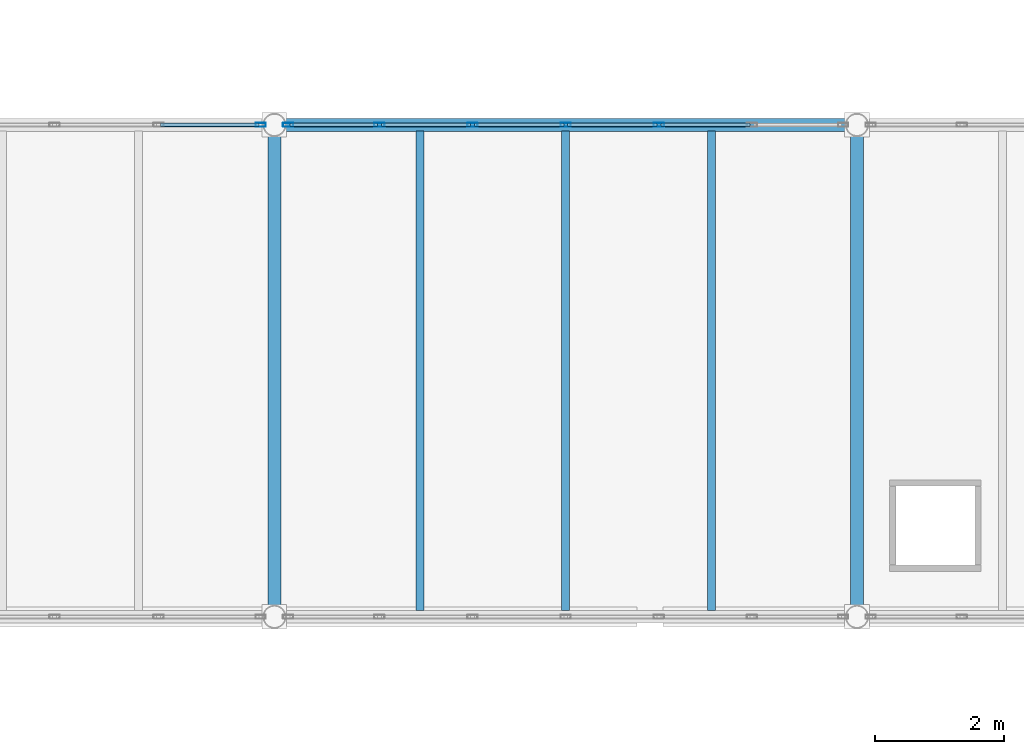
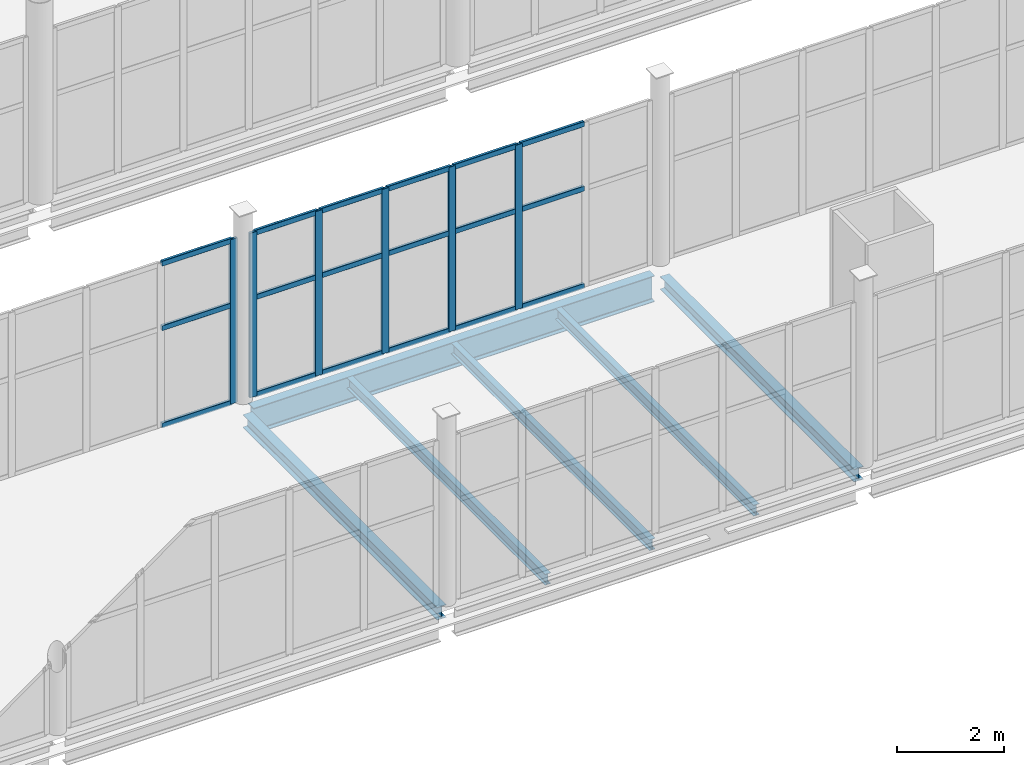
# One storey, part 60 of 172: 24 members, 6 beams, 2 elements without a shape of their own.
"""IFC4 building model written with IfcOpenShell, lengths in metres."""

from ifc_helpers import new_model, si_unit, direction, frame, origin, origin_2d, place, context, subcontext, project, spatial, hollow_rectangle, i_section, extrude, material, material_profile, profile_set, type_object, element, aggregate, save


model = new_model("IFC4")

# Units and contexts
model_context = context("Model", 3, precision=1e-05, world=origin(), true_north=direction((0.0, 1.0)))
body_context = subcontext(model_context, "Body", "Model", "MODEL_VIEW")
ifc_project = project(units=[si_unit("LENGTHUNIT", "METRE"), si_unit("AREAUNIT", "SQUARE_METRE"), si_unit("VOLUMEUNIT", "CUBIC_METRE"), si_unit("PLANEANGLEUNIT", "RADIAN"), si_unit("MASSUNIT", "GRAM", prefix="KILO")], contexts=[model_context])

# Site, building, storey
site_placement = place(None, origin())
site = spatial("IfcSite", under=ifc_project, at=site_placement, CompositionType="ELEMENT")
building_placement = place(site_placement, origin())
building = spatial("IfcBuilding", under=site, at=building_placement, Name="Shengluoqiao Park Theatre", CompositionType="ELEMENT")
storey_placement = place(building_placement, frame((0.0, 0.0, 5.39990234375)))
storey = spatial("IfcBuildingStorey", under=building, at=storey_placement, Name="L01", CompositionType="ELEMENT", Elevation=5.39990234375)

# Curtain wall, member
ifc_material_1 = material(Name="Aluminium 6063-T6", Category="aluminium")
curtain_wall_type = type_object("IfcCurtainWallType", Name="ENV-CW-BRIDGE", PredefinedType="NOTDEFINED", material=ifc_material_1)
curtain_wall_1_placement = place(storey_placement, origin())
curtain_wall_1 = element("IfcCurtainWall", 1, at=curtain_wall_1_placement, inside=storey, type_object=curtain_wall_type, Name="L01 Curtain Wall CWX-L01-0143", PredefinedType="NOTDEFINED")
ifc_material_profile_1 = material_profile(ifc_material_1, hollow_rectangle(XDim=0.06005859375, YDim=0.159912109375, WallThickness=0.00390625, InnerFilletRadius=0.00390625, OuterFilletRadius=0.008056640625, at=origin_2d()), Name="ALU MULLION 160x60x4")
ifc_profile_set_1 = profile_set([ifc_material_profile_1], Name="Aluminium 6063-T6")
member_type_1 = type_object("IfcMemberType", Name="ENV-MUL-160", PredefinedType="MULLION", material=ifc_profile_set_1)
member_1_placement = place(storey_placement, frame((112.18798828125, 60.800048828125, 0.0), z_axis=(0.0, 0.0, 1.0), x_axis=(0.0, 1.0, 0.0)))
member_1 = element("IfcMember", 2, at=member_1_placement, type_object=member_type_1, Name="CW-03 mullion 6", PredefinedType="MULLION", context=body_context, shape_type="SweptSolid", body=[
    extrude(hollow_rectangle(XDim=0.06005859375, YDim=0.159912109375, WallThickness=0.00390625, InnerFilletRadius=0.00390625, OuterFilletRadius=0.008056640625, at=origin_2d()), origin(), (0.0, 0.0, 1.0), 3.752197265625),
])

# Curtain wall, members
curtain_wall_2_placement = place(storey_placement, origin())
curtain_wall_2 = element("IfcCurtainWall", 3, at=curtain_wall_2_placement, inside=storey, type_object=curtain_wall_type, Name="L01 Curtain Wall CWX-L01-0144", PredefinedType="NOTDEFINED")
member_2_placement = place(storey_placement, frame((112.612060546875, 60.800048828125, 0.0), z_axis=(0.0, 0.0, 1.0), x_axis=(0.0, 1.0, 0.0)))
member_2 = element("IfcMember", 4, at=member_2_placement, type_object=member_type_1, Name="CW-03 mullion 1", PredefinedType="MULLION", context=body_context, shape_type="SweptSolid", body=[
    extrude(hollow_rectangle(XDim=0.06005859375, YDim=0.159912109375, WallThickness=0.00390625, InnerFilletRadius=0.00390625, OuterFilletRadius=0.008056640625, at=origin_2d()), origin(), (0.0, 0.0, 1.0), 3.752197265625),
])
member_3_placement = place(storey_placement, frame((114.021240234375, 60.800048828125, 0.0), z_axis=(0.0, 0.0, 1.0), x_axis=(0.0, 1.0, 0.0)))
member_3 = element("IfcMember", 5, at=member_3_placement, type_object=member_type_1, Name="CW-03 mullion 2", PredefinedType="MULLION", context=body_context, shape_type="SweptSolid", body=[
    extrude(hollow_rectangle(XDim=0.06005859375, YDim=0.159912109375, WallThickness=0.00390625, InnerFilletRadius=0.00390625, OuterFilletRadius=0.008056640625, at=origin_2d()), origin(), (0.0, 0.0, 1.0), 3.752197265625),
])
member_4_placement = place(storey_placement, frame((115.460693359375, 60.800048828125, 0.0), z_axis=(0.0, 0.0, 1.0), x_axis=(0.0, 1.0, 0.0)))
member_4 = element("IfcMember", 6, at=member_4_placement, type_object=member_type_1, Name="CW-03 mullion 3", PredefinedType="MULLION", context=body_context, shape_type="SweptSolid", body=[
    extrude(hollow_rectangle(XDim=0.06005859375, YDim=0.159912109375, WallThickness=0.00390625, InnerFilletRadius=0.00390625, OuterFilletRadius=0.008056640625, at=origin_2d()), origin(), (0.0, 0.0, 1.0), 3.752197265625),
])
member_5_placement = place(storey_placement, frame((116.89990234375, 60.800048828125, 0.0), z_axis=(0.0, 0.0, 1.0), x_axis=(0.0, 1.0, 0.0)))
member_5 = element("IfcMember", 7, at=member_5_placement, type_object=member_type_1, Name="CW-03 mullion 4", PredefinedType="MULLION", context=body_context, shape_type="SweptSolid", body=[
    extrude(hollow_rectangle(XDim=0.06005859375, YDim=0.159912109375, WallThickness=0.00390625, InnerFilletRadius=0.00390625, OuterFilletRadius=0.008056640625, at=origin_2d()), origin(), (0.0, 0.0, 1.0), 3.752197265625),
])
member_6_placement = place(storey_placement, frame((118.33935546875, 60.800048828125, 0.0), z_axis=(0.0, 0.0, 1.0), x_axis=(0.0, 1.0, 0.0)))
member_6 = element("IfcMember", 8, at=member_6_placement, type_object=member_type_1, Name="CW-03 mullion 5", PredefinedType="MULLION", context=body_context, shape_type="SweptSolid", body=[
    extrude(hollow_rectangle(XDim=0.06005859375, YDim=0.159912109375, WallThickness=0.00390625, InnerFilletRadius=0.00390625, OuterFilletRadius=0.008056640625, at=origin_2d()), origin(), (0.0, 0.0, 1.0), 3.752197265625),
])

# Member
ifc_material_profile_2 = material_profile(ifc_material_1, hollow_rectangle(XDim=0.06005859375, YDim=0.1201171875, WallThickness=0.00390625, InnerFilletRadius=0.00390625, OuterFilletRadius=0.008056640625, at=origin_2d()), Name="ALU TRANSOM 120x60x4")
ifc_profile_set_2 = profile_set([ifc_material_profile_2], Name="Aluminium 6063-T6")
member_type_2 = type_object("IfcMemberType", Name="ENV-TRN-120", PredefinedType="USERDEFINED", material=ifc_profile_set_2)
member_7_placement = place(storey_placement, frame((110.640869140625, 60.800048828125, 0.030029296875), z_axis=(1.0, 0.0, 0.0), x_axis=(0.0, 1.0, 0.0)))
member_7 = element("IfcMember", 9, at=member_7_placement, type_object=member_type_2, Name="CW-03 transom 5.1", ObjectType="TRANSOM", PredefinedType="USERDEFINED", context=body_context, shape_type="SweptSolid", body=[
    extrude(hollow_rectangle(XDim=0.06005859375, YDim=0.1201171875, WallThickness=0.00390625, InnerFilletRadius=0.00390625, OuterFilletRadius=0.008056640625, at=origin_2d()), origin(), (0.0, 0.0, 1.0), 1.51708984375),
])

member_8_placement = place(storey_placement, frame((110.640869140625, 60.800048828125, 2.2509765625), z_axis=(1.0, 0.0, 0.0), x_axis=(0.0, 1.0, 0.0)))
member_8 = element("IfcMember", 10, at=member_8_placement, type_object=member_type_2, Name="CW-03 transom 5.2", ObjectType="TRANSOM", PredefinedType="USERDEFINED", context=body_context, shape_type="SweptSolid", body=[
    extrude(hollow_rectangle(XDim=0.06005859375, YDim=0.1201171875, WallThickness=0.00390625, InnerFilletRadius=0.00390625, OuterFilletRadius=0.008056640625, at=origin_2d()), origin(), (0.0, 0.0, 1.0), 1.51708984375),
])

member_9_placement = place(storey_placement, frame((110.640869140625, 60.800048828125, 3.72216796875), z_axis=(1.0, 0.0, 0.0), x_axis=(0.0, 1.0, 0.0)))
member_9 = element("IfcMember", 11, at=member_9_placement, type_object=member_type_2, Name="CW-03 transom 5.3", ObjectType="TRANSOM", PredefinedType="USERDEFINED", context=body_context, shape_type="SweptSolid", body=[
    extrude(hollow_rectangle(XDim=0.06005859375, YDim=0.1201171875, WallThickness=0.00390625, InnerFilletRadius=0.00390625, OuterFilletRadius=0.008056640625, at=origin_2d()), origin(), (0.0, 0.0, 1.0), 1.51708984375),
])

aggregate(curtain_wall_1, [member_1, member_7, member_8, member_9])

member_10_placement = place(storey_placement, frame((112.64208984375, 60.800048828125, 0.030029296875), z_axis=(1.0, 0.0, 0.0), x_axis=(0.0, 1.0, 0.0)))
member_10 = element("IfcMember", 12, at=member_10_placement, type_object=member_type_2, Name="CW-03 transom 1.1", ObjectType="TRANSOM", PredefinedType="USERDEFINED", context=body_context, shape_type="SweptSolid", body=[
    extrude(hollow_rectangle(XDim=0.06005859375, YDim=0.1201171875, WallThickness=0.00390625, InnerFilletRadius=0.00390625, OuterFilletRadius=0.008056640625, at=origin_2d()), origin(), (0.0, 0.0, 1.0), 1.349365234375),
])

member_11_placement = place(storey_placement, frame((112.64208984375, 60.800048828125, 2.2509765625), z_axis=(1.0, 0.0, 0.0), x_axis=(0.0, 1.0, 0.0)))
member_11 = element("IfcMember", 13, at=member_11_placement, type_object=member_type_2, Name="CW-03 transom 1.2", ObjectType="TRANSOM", PredefinedType="USERDEFINED", context=body_context, shape_type="SweptSolid", body=[
    extrude(hollow_rectangle(XDim=0.06005859375, YDim=0.1201171875, WallThickness=0.00390625, InnerFilletRadius=0.00390625, OuterFilletRadius=0.008056640625, at=origin_2d()), origin(), (0.0, 0.0, 1.0), 1.349365234375),
])

member_12_placement = place(storey_placement, frame((112.64208984375, 60.800048828125, 3.72216796875), z_axis=(1.0, 0.0, 0.0), x_axis=(0.0, 1.0, 0.0)))
member_12 = element("IfcMember", 14, at=member_12_placement, type_object=member_type_2, Name="CW-03 transom 1.3", ObjectType="TRANSOM", PredefinedType="USERDEFINED", context=body_context, shape_type="SweptSolid", body=[
    extrude(hollow_rectangle(XDim=0.06005859375, YDim=0.1201171875, WallThickness=0.00390625, InnerFilletRadius=0.00390625, OuterFilletRadius=0.008056640625, at=origin_2d()), origin(), (0.0, 0.0, 1.0), 1.349365234375),
])

member_13_placement = place(storey_placement, frame((114.05126953125, 60.800048828125, 0.030029296875), z_axis=(1.0, 0.0, 0.0), x_axis=(0.0, 1.0, 0.0)))
member_13 = element("IfcMember", 15, at=member_13_placement, type_object=member_type_2, Name="CW-03 transom 2.1", ObjectType="TRANSOM", PredefinedType="USERDEFINED", context=body_context, shape_type="SweptSolid", body=[
    extrude(hollow_rectangle(XDim=0.06005859375, YDim=0.1201171875, WallThickness=0.00390625, InnerFilletRadius=0.00390625, OuterFilletRadius=0.008056640625, at=origin_2d()), origin(), (0.0, 0.0, 1.0), 1.37939453125),
])

member_14_placement = place(storey_placement, frame((114.05126953125, 60.800048828125, 2.2509765625), z_axis=(1.0, 0.0, 0.0), x_axis=(0.0, 1.0, 0.0)))
member_14 = element("IfcMember", 16, at=member_14_placement, type_object=member_type_2, Name="CW-03 transom 2.2", ObjectType="TRANSOM", PredefinedType="USERDEFINED", context=body_context, shape_type="SweptSolid", body=[
    extrude(hollow_rectangle(XDim=0.06005859375, YDim=0.1201171875, WallThickness=0.00390625, InnerFilletRadius=0.00390625, OuterFilletRadius=0.008056640625, at=origin_2d()), origin(), (0.0, 0.0, 1.0), 1.37939453125),
])

member_15_placement = place(storey_placement, frame((114.05126953125, 60.800048828125, 3.72216796875), z_axis=(1.0, 0.0, 0.0), x_axis=(0.0, 1.0, 0.0)))
member_15 = element("IfcMember", 17, at=member_15_placement, type_object=member_type_2, Name="CW-03 transom 2.3", ObjectType="TRANSOM", PredefinedType="USERDEFINED", context=body_context, shape_type="SweptSolid", body=[
    extrude(hollow_rectangle(XDim=0.06005859375, YDim=0.1201171875, WallThickness=0.00390625, InnerFilletRadius=0.00390625, OuterFilletRadius=0.008056640625, at=origin_2d()), origin(), (0.0, 0.0, 1.0), 1.37939453125),
])

member_16_placement = place(storey_placement, frame((115.49072265625, 60.800048828125, 0.030029296875), z_axis=(1.0, 0.0, 0.0), x_axis=(0.0, 1.0, 0.0)))
member_16 = element("IfcMember", 18, at=member_16_placement, type_object=member_type_2, Name="CW-03 transom 3.1", ObjectType="TRANSOM", PredefinedType="USERDEFINED", context=body_context, shape_type="SweptSolid", body=[
    extrude(hollow_rectangle(XDim=0.06005859375, YDim=0.1201171875, WallThickness=0.00390625, InnerFilletRadius=0.00390625, OuterFilletRadius=0.008056640625, at=origin_2d()), origin(), (0.0, 0.0, 1.0), 1.37939453125),
])

member_17_placement = place(storey_placement, frame((115.49072265625, 60.800048828125, 2.2509765625), z_axis=(1.0, 0.0, 0.0), x_axis=(0.0, 1.0, 0.0)))
member_17 = element("IfcMember", 19, at=member_17_placement, type_object=member_type_2, Name="CW-03 transom 3.2", ObjectType="TRANSOM", PredefinedType="USERDEFINED", context=body_context, shape_type="SweptSolid", body=[
    extrude(hollow_rectangle(XDim=0.06005859375, YDim=0.1201171875, WallThickness=0.00390625, InnerFilletRadius=0.00390625, OuterFilletRadius=0.008056640625, at=origin_2d()), origin(), (0.0, 0.0, 1.0), 1.37939453125),
])

member_18_placement = place(storey_placement, frame((115.49072265625, 60.800048828125, 3.72216796875), z_axis=(1.0, 0.0, 0.0), x_axis=(0.0, 1.0, 0.0)))
member_18 = element("IfcMember", 20, at=member_18_placement, type_object=member_type_2, Name="CW-03 transom 3.3", ObjectType="TRANSOM", PredefinedType="USERDEFINED", context=body_context, shape_type="SweptSolid", body=[
    extrude(hollow_rectangle(XDim=0.06005859375, YDim=0.1201171875, WallThickness=0.00390625, InnerFilletRadius=0.00390625, OuterFilletRadius=0.008056640625, at=origin_2d()), origin(), (0.0, 0.0, 1.0), 1.37939453125),
])

member_19_placement = place(storey_placement, frame((116.929931640625, 60.800048828125, 0.030029296875), z_axis=(1.0, 0.0, 0.0), x_axis=(0.0, 1.0, 0.0)))
member_19 = element("IfcMember", 21, at=member_19_placement, type_object=member_type_2, Name="CW-03 transom 4.1", ObjectType="TRANSOM", PredefinedType="USERDEFINED", context=body_context, shape_type="SweptSolid", body=[
    extrude(hollow_rectangle(XDim=0.06005859375, YDim=0.1201171875, WallThickness=0.00390625, InnerFilletRadius=0.00390625, OuterFilletRadius=0.008056640625, at=origin_2d()), origin(), (0.0, 0.0, 1.0), 1.37939453125),
])

member_20_placement = place(storey_placement, frame((116.929931640625, 60.800048828125, 2.2509765625), z_axis=(1.0, 0.0, 0.0), x_axis=(0.0, 1.0, 0.0)))
member_20 = element("IfcMember", 22, at=member_20_placement, type_object=member_type_2, Name="CW-03 transom 4.2", ObjectType="TRANSOM", PredefinedType="USERDEFINED", context=body_context, shape_type="SweptSolid", body=[
    extrude(hollow_rectangle(XDim=0.06005859375, YDim=0.1201171875, WallThickness=0.00390625, InnerFilletRadius=0.00390625, OuterFilletRadius=0.008056640625, at=origin_2d()), origin(), (0.0, 0.0, 1.0), 1.37939453125),
])

member_21_placement = place(storey_placement, frame((116.929931640625, 60.800048828125, 3.72216796875), z_axis=(1.0, 0.0, 0.0), x_axis=(0.0, 1.0, 0.0)))
member_21 = element("IfcMember", 23, at=member_21_placement, type_object=member_type_2, Name="CW-03 transom 4.3", ObjectType="TRANSOM", PredefinedType="USERDEFINED", context=body_context, shape_type="SweptSolid", body=[
    extrude(hollow_rectangle(XDim=0.06005859375, YDim=0.1201171875, WallThickness=0.00390625, InnerFilletRadius=0.00390625, OuterFilletRadius=0.008056640625, at=origin_2d()), origin(), (0.0, 0.0, 1.0), 1.37939453125),
])

member_22_placement = place(storey_placement, frame((118.369384765625, 60.800048828125, 0.030029296875), z_axis=(1.0, 0.0, 0.0), x_axis=(0.0, 1.0, 0.0)))
member_22 = element("IfcMember", 24, at=member_22_placement, type_object=member_type_2, Name="CW-03 transom 5.1", ObjectType="TRANSOM", PredefinedType="USERDEFINED", context=body_context, shape_type="SweptSolid", body=[
    extrude(hollow_rectangle(XDim=0.06005859375, YDim=0.1201171875, WallThickness=0.00390625, InnerFilletRadius=0.00390625, OuterFilletRadius=0.008056640625, at=origin_2d()), origin(), (0.0, 0.0, 1.0), 1.37939453125),
])

member_23_placement = place(storey_placement, frame((118.369384765625, 60.800048828125, 2.2509765625), z_axis=(1.0, 0.0, 0.0), x_axis=(0.0, 1.0, 0.0)))
member_23 = element("IfcMember", 25, at=member_23_placement, type_object=member_type_2, Name="CW-03 transom 5.2", ObjectType="TRANSOM", PredefinedType="USERDEFINED", context=body_context, shape_type="SweptSolid", body=[
    extrude(hollow_rectangle(XDim=0.06005859375, YDim=0.1201171875, WallThickness=0.00390625, InnerFilletRadius=0.00390625, OuterFilletRadius=0.008056640625, at=origin_2d()), origin(), (0.0, 0.0, 1.0), 1.37939453125),
])

member_24_placement = place(storey_placement, frame((118.369384765625, 60.800048828125, 3.72216796875), z_axis=(1.0, 0.0, 0.0), x_axis=(0.0, 1.0, 0.0)))
member_24 = element("IfcMember", 26, at=member_24_placement, type_object=member_type_2, Name="CW-03 transom 5.3", ObjectType="TRANSOM", PredefinedType="USERDEFINED", context=body_context, shape_type="SweptSolid", body=[
    extrude(hollow_rectangle(XDim=0.06005859375, YDim=0.1201171875, WallThickness=0.00390625, InnerFilletRadius=0.00390625, OuterFilletRadius=0.008056640625, at=origin_2d()), origin(), (0.0, 0.0, 1.0), 1.37939453125),
])

aggregate(curtain_wall_2, [member_2, member_3, member_4, member_5, member_6, member_10, member_11, member_12, member_13, member_14, member_15, member_16, member_17, member_18, member_19, member_20, member_21, member_22, member_23, member_24])

# Beams
ifc_material_2 = material(Name="Steel Q355", Category="steel")
ifc_material_profile_3 = material_profile(ifc_material_2, i_section(OverallWidth=0.199951171875, OverallDepth=0.2939453125, WebThickness=0.008056640625, FlangeThickness=0.011962890625, FilletRadius=0.01611328125, at=origin_2d()), Name="HM 294x200x8x12")
ifc_profile_set_3 = profile_set([ifc_material_profile_3], Name="Steel Q355")
beam_type_1 = type_object("IfcBeamType", Name="STR-BM-G-HM294", PredefinedType="BEAM", material=ifc_profile_set_3)
for number, where, z_axis, x_axis, name in (
    (27, (112.39990234375, 53.3720703125, -0.35693359375), (0.0, 1.0, 0.0), (-1.0, 0.0, 0.0), "L01 Transverse Girder 00594"),
    (28, (121.39990234375, 53.3720703125, -0.35693359375), (0.0, 1.0, 0.0), (-1.0, 0.0, 0.0), "L01 Transverse Girder 00595"),
):
    element("IfcBeam", number, at=place(storey_placement, frame(where, z_axis=z_axis, x_axis=x_axis)), inside=storey, type_object=beam_type_1, Name=name, PredefinedType="BEAM", context=body_context, shape_type="SweptSolid", body=[
        extrude(i_section(OverallWidth=0.199951171875, OverallDepth=0.2939453125, WebThickness=0.008056640625, FlangeThickness=0.011962890625, FilletRadius=0.01611328125, at=origin_2d()), origin(), (0.0, 0.0, 1.0), 7.255859375),
    ])
ifc_material_profile_4 = material_profile(ifc_material_2, i_section(OverallWidth=0.125, OverallDepth=0.25, WebThickness=0.006103515625, FlangeThickness=0.009033203125, FilletRadius=0.010009765625, at=origin_2d()), Name="HN 250x125x6x9")
ifc_profile_set_4 = profile_set([ifc_material_profile_4], Name="Steel Q355")
beam_type_2 = type_object("IfcBeamType", Name="STR-BM-J-HN250", PredefinedType="JOIST", material=ifc_profile_set_4)
for number, where, z_axis, x_axis, name in (
    (29, (114.64990234375, 53.29443359375, -0.3349609375), (0.0, 1.0, 0.0), (-1.0, 0.0, 0.0), "L01 Composite Joist 00622"),
    (30, (116.89990234375, 53.29443359375, -0.3349609375), (0.0, 1.0, 0.0), (-1.0, 0.0, 0.0), "L01 Composite Joist 00623"),
    (31, (119.14990234375, 53.29443359375, -0.3349609375), (0.0, 1.0, 0.0), (-1.0, 0.0, 0.0), "L01 Composite Joist 00624"),
):
    element("IfcBeam", number, at=place(storey_placement, frame(where, z_axis=z_axis, x_axis=x_axis)), inside=storey, type_object=beam_type_2, Name=name, PredefinedType="JOIST", context=body_context, shape_type="SweptSolid", body=[
        extrude(i_section(OverallWidth=0.125, OverallDepth=0.25, WebThickness=0.006103515625, FlangeThickness=0.009033203125, FilletRadius=0.010009765625, at=origin_2d()), origin(), (0.0, 0.0, 1.0), 7.4111328125),
    ])
ifc_material_profile_5 = material_profile(ifc_material_2, i_section(OverallWidth=0.198974609375, OverallDepth=0.595947265625, WebThickness=0.010009765625, FlangeThickness=0.014892578125, FilletRadius=0.02001953125, at=origin_2d()), Name="HN 596x199x10x15")
ifc_profile_set_5 = profile_set([ifc_material_profile_5], Name="Steel Q355")
beam_type_3 = type_object("IfcBeamType", Name="STR-BM-SP-HN596", PredefinedType="SPANDREL", material=ifc_profile_set_5)
beam_placement = place(storey_placement, frame((112.572021484375, 60.800048828125, -0.5078125), z_axis=(1.0, 0.0, 0.0), x_axis=(0.0, 1.0, 0.0)))
element("IfcBeam", 32, at=beam_placement, inside=storey, type_object=beam_type_3, Name="L01 Primary Girder 00582", PredefinedType="SPANDREL", context=body_context, shape_type="SweptSolid", body=[
    extrude(i_section(OverallWidth=0.198974609375, OverallDepth=0.595947265625, WebThickness=0.010009765625, FlangeThickness=0.014892578125, FilletRadius=0.02001953125, at=origin_2d()), origin(), (0.0, 0.0, 1.0), 8.656005859375),
])

save(model, "model.ifc")
